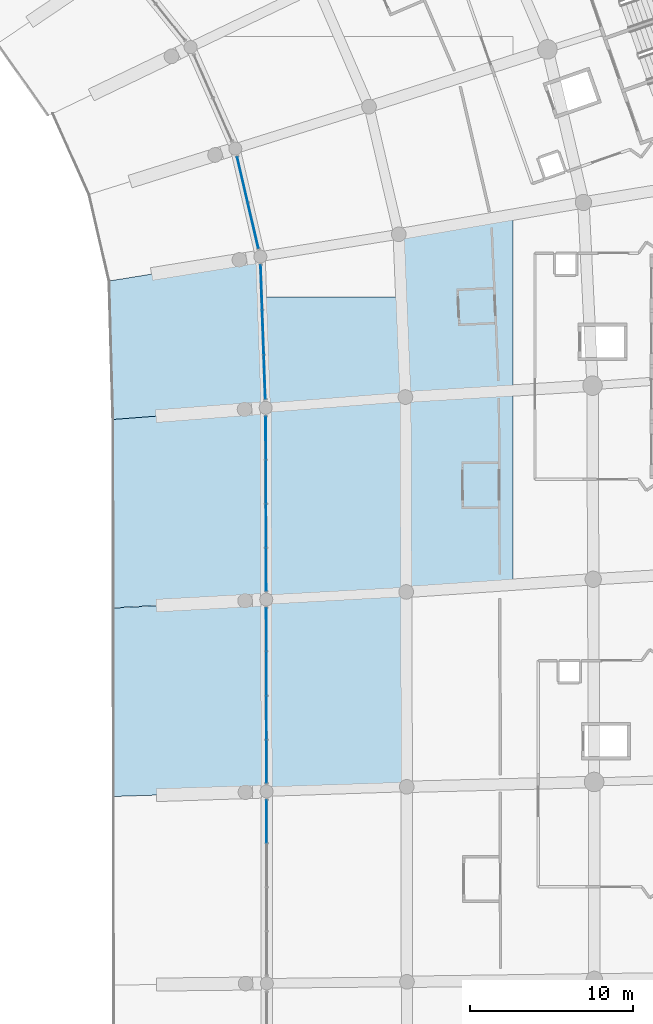
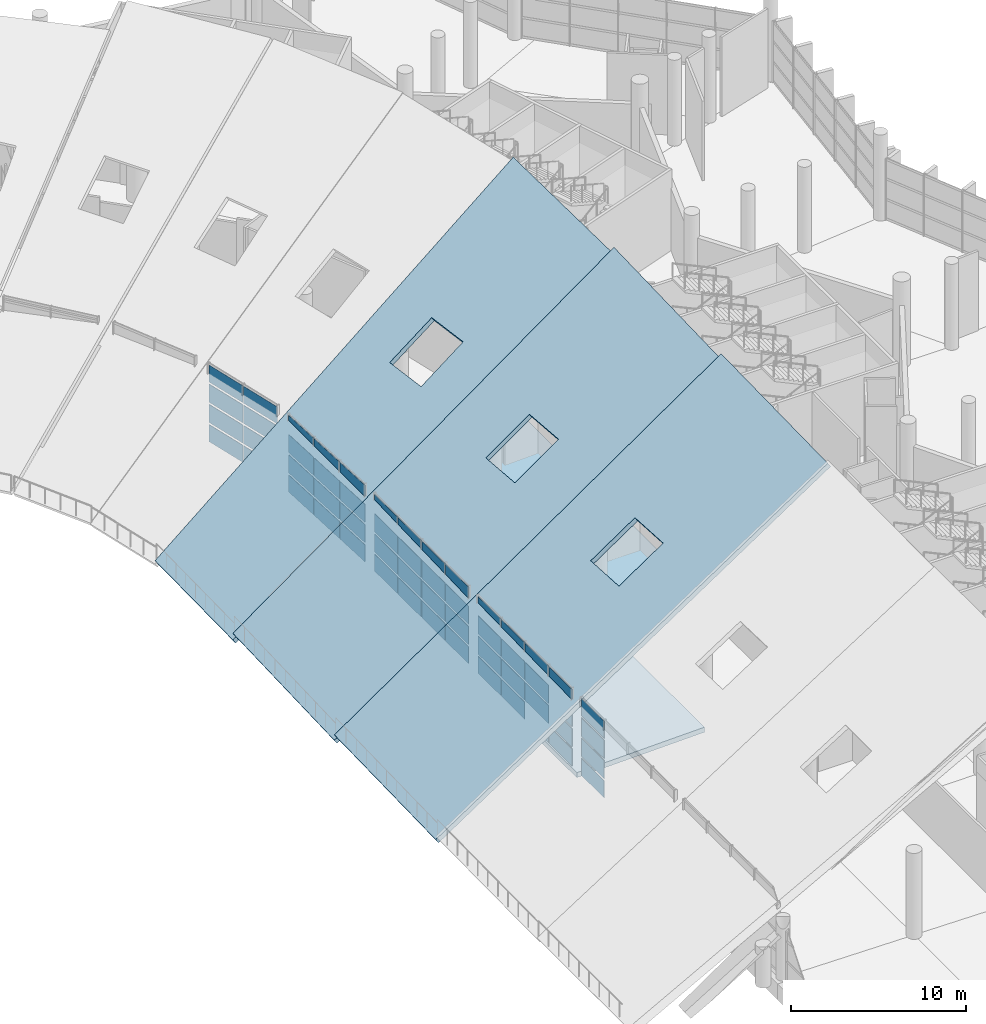
# One storey, part 127 of 249: 56 plates, 6 slabs, 5 elements without a shape of their own.
"""IFC4 building model written with IfcOpenShell, lengths in metres."""

from ifc_helpers import new_model, si_unit, direction, frame, origin, origin_2d, place, context, subcontext, project, spatial, polyline, rectangle, outline, extrude, material, layer, layer_set, type_object, element, aggregate, save


model = new_model("IFC4")

# Units and contexts
model_context = context("Model", 3, precision=1e-05, world=origin(), true_north=direction((0.0, 1.0)))
body_context = subcontext(model_context, "Body", "Model", "MODEL_VIEW")
ifc_project = project(units=[si_unit("LENGTHUNIT", "METRE"), si_unit("AREAUNIT", "SQUARE_METRE"), si_unit("VOLUMEUNIT", "CUBIC_METRE"), si_unit("PLANEANGLEUNIT", "RADIAN"), si_unit("MASSUNIT", "GRAM", prefix="KILO")], contexts=[model_context])

# Site, building, storey
site_placement = place(None, origin())
site = spatial("IfcSite", under=ifc_project, at=site_placement, CompositionType="ELEMENT")
building_placement = place(site_placement, origin())
building = spatial("IfcBuilding", under=site, at=building_placement, Name="Meseta Stadium", CompositionType="ELEMENT")
storey_placement = place(building_placement, frame((0.0, 0.0, 12.0)))
storey = spatial("IfcBuildingStorey", under=building, at=storey_placement, Name="L02", CompositionType="ELEMENT", Elevation=12.0)

# Curtain wall, plates
ifc_material_1 = material(Name="Aluminium", Category="aluminium")
ifc_layer_1 = layer(ifc_material_1, 0.199951171875)
ifc_layer_set_1 = layer_set([ifc_layer_1], Name="Suite glazing curtain wall")
curtain_wall_type = type_object("IfcCurtainWallType", Name="Suite glazing curtain wall", PredefinedType="NOTDEFINED", material=ifc_layer_set_1)
curtain_wall_1_placement = place(storey_placement, origin())
curtain_wall_1 = element("IfcCurtainWall", 1, at=curtain_wall_1_placement, inside=storey, type_object=curtain_wall_type, Name="Suite glazing bay 05", PredefinedType="NOTDEFINED")
ifc_material_2 = material(Name="Glass", Category="glass")
ifc_layer_2 = layer(ifc_material_2, 0.035888671875)
ifc_layer_set_2 = layer_set([ifc_layer_2], Name="CW glass panel 36")
plate_type = type_object("IfcPlateType", Name="CW glass panel 36", PredefinedType="CURTAIN_PANEL", material=ifc_layer_set_2)
plate_1_placement = place(storey_placement, frame((64.888916015625, 15.814697265625, 0.14990234375), z_axis=(0.0, 0.0, 1.0), x_axis=(-0.000975355927, 0.99999952434, 0.0)))
plate_1 = element("IfcPlate", 2, at=plate_1_placement, type_object=plate_type, Name="CWS panel 4.1", PredefinedType="CURTAIN_PANEL", context=body_context, shape_type="SweptSolid", body=[
    extrude(rectangle(XDim=2.61376953125, YDim=0.035888671875, at=origin_2d()), origin(), (0.0, 0.0, 1.0), 1.1875),
])
plate_2_placement = place(storey_placement, frame((64.888916015625, 15.814697265625, 1.4873046875), z_axis=(0.0, 0.0, 1.0), x_axis=(-0.000975355927, 0.99999952434, 0.0)))
plate_2 = element("IfcPlate", 3, at=plate_2_placement, type_object=plate_type, Name="CWS panel 4.2", PredefinedType="CURTAIN_PANEL", context=body_context, shape_type="SweptSolid", body=[
    extrude(rectangle(XDim=2.61376953125, YDim=0.035888671875, at=origin_2d()), origin(), (0.0, 0.0, 1.0), 1.262451171875),
])
plate_3_placement = place(storey_placement, frame((64.888916015625, 15.814697265625, 2.89990234375), z_axis=(0.0, 0.0, 1.0), x_axis=(-0.000975355927, 0.99999952434, 0.0)))
plate_3 = element("IfcPlate", 4, at=plate_3_placement, type_object=plate_type, Name="CWS panel 4.3", PredefinedType="CURTAIN_PANEL", context=body_context, shape_type="SweptSolid", body=[
    extrude(rectangle(XDim=2.61376953125, YDim=0.035888671875, at=origin_2d()), origin(), (0.0, 0.0, 1.0), 1.262451171875),
])
plate_4_placement = place(storey_placement, frame((64.888916015625, 15.814697265625, 4.3125), z_axis=(0.0, 0.0, 1.0), x_axis=(-0.000975355927, 0.99999952434, 0.0)))
plate_4 = element("IfcPlate", 5, at=plate_4_placement, type_object=plate_type, Name="CWS panel 4.4", PredefinedType="CURTAIN_PANEL", context=body_context, shape_type="SweptSolid", body=[
    extrude(rectangle(XDim=2.61376953125, YDim=0.035888671875, at=origin_2d()), origin(), (0.0, 0.0, 1.0), 1.1875),
])
aggregate(curtain_wall_1, [plate_1, plate_2, plate_3, plate_4])

curtain_wall_2_placement = place(storey_placement, origin())
curtain_wall_2 = element("IfcCurtainWall", 6, at=curtain_wall_2_placement, inside=storey, type_object=curtain_wall_type, Name="Suite glazing bay 06", PredefinedType="NOTDEFINED")
plate_5_placement = place(storey_placement, frame((64.883544921875, 19.506591796875, 0.14990234375), z_axis=(0.0, 0.0, 1.0), x_axis=(-0.001946685349, 0.999998105206, 0.0)))
plate_5 = element("IfcPlate", 7, at=plate_5_placement, type_object=plate_type, Name="CWS panel 1.1", PredefinedType="CURTAIN_PANEL", context=body_context, shape_type="SweptSolid", body=[
    extrude(rectangle(XDim=2.613525390625, YDim=0.035888671875, at=origin_2d()), origin(), (0.0, 0.0, 1.0), 1.1875),
])
plate_6_placement = place(storey_placement, frame((64.883544921875, 19.506591796875, 1.4873046875), z_axis=(0.0, 0.0, 1.0), x_axis=(-0.001946685349, 0.999998105206, 0.0)))
plate_6 = element("IfcPlate", 8, at=plate_6_placement, type_object=plate_type, Name="CWS panel 1.2", PredefinedType="CURTAIN_PANEL", context=body_context, shape_type="SweptSolid", body=[
    extrude(rectangle(XDim=2.613525390625, YDim=0.035888671875, at=origin_2d()), origin(), (0.0, 0.0, 1.0), 1.262451171875),
])
plate_7_placement = place(storey_placement, frame((64.883544921875, 19.506591796875, 2.89990234375), z_axis=(0.0, 0.0, 1.0), x_axis=(-0.001946685349, 0.999998105206, 0.0)))
plate_7 = element("IfcPlate", 9, at=plate_7_placement, type_object=plate_type, Name="CWS panel 1.3", PredefinedType="CURTAIN_PANEL", context=body_context, shape_type="SweptSolid", body=[
    extrude(rectangle(XDim=2.613525390625, YDim=0.035888671875, at=origin_2d()), origin(), (0.0, 0.0, 1.0), 1.262451171875),
])
plate_8_placement = place(storey_placement, frame((64.883544921875, 19.506591796875, 4.3125), z_axis=(0.0, 0.0, 1.0), x_axis=(-0.001946685349, 0.999998105206, 0.0)))
plate_8 = element("IfcPlate", 10, at=plate_8_placement, type_object=plate_type, Name="CWS panel 1.4", PredefinedType="CURTAIN_PANEL", context=body_context, shape_type="SweptSolid", body=[
    extrude(rectangle(XDim=2.613525390625, YDim=0.035888671875, at=origin_2d()), origin(), (0.0, 0.0, 1.0), 1.1875),
])
plate_9_placement = place(storey_placement, frame((64.878173828125, 22.195068359375, 0.14990234375), z_axis=(0.0, 0.0, 1.0), x_axis=(-0.001946685349, 0.999998105206, 0.0)))
plate_9 = element("IfcPlate", 11, at=plate_9_placement, type_object=plate_type, Name="CWS panel 2.1", PredefinedType="CURTAIN_PANEL", context=body_context, shape_type="SweptSolid", body=[
    extrude(rectangle(XDim=2.6435546875, YDim=0.035888671875, at=origin_2d()), origin(), (0.0, 0.0, 1.0), 1.1875),
])
plate_10_placement = place(storey_placement, frame((64.878173828125, 22.195068359375, 1.4873046875), z_axis=(0.0, 0.0, 1.0), x_axis=(-0.001946685349, 0.999998105206, 0.0)))
plate_10 = element("IfcPlate", 12, at=plate_10_placement, type_object=plate_type, Name="CWS panel 2.2", PredefinedType="CURTAIN_PANEL", context=body_context, shape_type="SweptSolid", body=[
    extrude(rectangle(XDim=2.6435546875, YDim=0.035888671875, at=origin_2d()), origin(), (0.0, 0.0, 1.0), 1.262451171875),
])
plate_11_placement = place(storey_placement, frame((64.878173828125, 22.195068359375, 2.89990234375), z_axis=(0.0, 0.0, 1.0), x_axis=(-0.001946685349, 0.999998105206, 0.0)))
plate_11 = element("IfcPlate", 13, at=plate_11_placement, type_object=plate_type, Name="CWS panel 2.3", PredefinedType="CURTAIN_PANEL", context=body_context, shape_type="SweptSolid", body=[
    extrude(rectangle(XDim=2.6435546875, YDim=0.035888671875, at=origin_2d()), origin(), (0.0, 0.0, 1.0), 1.262451171875),
])
plate_12_placement = place(storey_placement, frame((64.878173828125, 22.195068359375, 4.3125), z_axis=(0.0, 0.0, 1.0), x_axis=(-0.001946685349, 0.999998105206, 0.0)))
plate_12 = element("IfcPlate", 14, at=plate_12_placement, type_object=plate_type, Name="CWS panel 2.4", PredefinedType="CURTAIN_PANEL", context=body_context, shape_type="SweptSolid", body=[
    extrude(rectangle(XDim=2.6435546875, YDim=0.035888671875, at=origin_2d()), origin(), (0.0, 0.0, 1.0), 1.1875),
])
plate_13_placement = place(storey_placement, frame((64.873046875, 24.8984375, 0.14990234375), z_axis=(0.0, 0.0, 1.0), x_axis=(-0.001946685349, 0.999998105206, 0.0)))
plate_13 = element("IfcPlate", 15, at=plate_13_placement, type_object=plate_type, Name="CWS panel 3.1", PredefinedType="CURTAIN_PANEL", context=body_context, shape_type="SweptSolid", body=[
    extrude(rectangle(XDim=2.6435546875, YDim=0.035888671875, at=origin_2d()), origin(), (0.0, 0.0, 1.0), 1.1875),
])
plate_14_placement = place(storey_placement, frame((64.873046875, 24.8984375, 1.4873046875), z_axis=(0.0, 0.0, 1.0), x_axis=(-0.001946685349, 0.999998105206, 0.0)))
plate_14 = element("IfcPlate", 16, at=plate_14_placement, type_object=plate_type, Name="CWS panel 3.2", PredefinedType="CURTAIN_PANEL", context=body_context, shape_type="SweptSolid", body=[
    extrude(rectangle(XDim=2.6435546875, YDim=0.035888671875, at=origin_2d()), origin(), (0.0, 0.0, 1.0), 1.262451171875),
])
plate_15_placement = place(storey_placement, frame((64.873046875, 24.8984375, 2.89990234375), z_axis=(0.0, 0.0, 1.0), x_axis=(-0.001946685349, 0.999998105206, 0.0)))
plate_15 = element("IfcPlate", 17, at=plate_15_placement, type_object=plate_type, Name="CWS panel 3.3", PredefinedType="CURTAIN_PANEL", context=body_context, shape_type="SweptSolid", body=[
    extrude(rectangle(XDim=2.6435546875, YDim=0.035888671875, at=origin_2d()), origin(), (0.0, 0.0, 1.0), 1.262451171875),
])
plate_16_placement = place(storey_placement, frame((64.873046875, 24.8984375, 4.3125), z_axis=(0.0, 0.0, 1.0), x_axis=(-0.001946685349, 0.999998105206, 0.0)))
plate_16 = element("IfcPlate", 18, at=plate_16_placement, type_object=plate_type, Name="CWS panel 3.4", PredefinedType="CURTAIN_PANEL", context=body_context, shape_type="SweptSolid", body=[
    extrude(rectangle(XDim=2.6435546875, YDim=0.035888671875, at=origin_2d()), origin(), (0.0, 0.0, 1.0), 1.1875),
])
plate_17_placement = place(storey_placement, frame((64.86767578125, 27.5869140625, 0.14990234375), z_axis=(0.0, 0.0, 1.0), x_axis=(-0.001946685349, 0.999998105206, 0.0)))
plate_17 = element("IfcPlate", 19, at=plate_17_placement, type_object=plate_type, Name="CWS panel 4.1", PredefinedType="CURTAIN_PANEL", context=body_context, shape_type="SweptSolid", body=[
    extrude(rectangle(XDim=2.613525390625, YDim=0.035888671875, at=origin_2d()), origin(), (0.0, 0.0, 1.0), 1.1875),
])
plate_18_placement = place(storey_placement, frame((64.86767578125, 27.5869140625, 1.4873046875), z_axis=(0.0, 0.0, 1.0), x_axis=(-0.001946685349, 0.999998105206, 0.0)))
plate_18 = element("IfcPlate", 20, at=plate_18_placement, type_object=plate_type, Name="CWS panel 4.2", PredefinedType="CURTAIN_PANEL", context=body_context, shape_type="SweptSolid", body=[
    extrude(rectangle(XDim=2.613525390625, YDim=0.035888671875, at=origin_2d()), origin(), (0.0, 0.0, 1.0), 1.262451171875),
])
plate_19_placement = place(storey_placement, frame((64.86767578125, 27.5869140625, 2.89990234375), z_axis=(0.0, 0.0, 1.0), x_axis=(-0.001946685349, 0.999998105206, 0.0)))
plate_19 = element("IfcPlate", 21, at=plate_19_placement, type_object=plate_type, Name="CWS panel 4.3", PredefinedType="CURTAIN_PANEL", context=body_context, shape_type="SweptSolid", body=[
    extrude(rectangle(XDim=2.613525390625, YDim=0.035888671875, at=origin_2d()), origin(), (0.0, 0.0, 1.0), 1.262451171875),
])
plate_20_placement = place(storey_placement, frame((64.86767578125, 27.5869140625, 4.3125), z_axis=(0.0, 0.0, 1.0), x_axis=(-0.001946685349, 0.999998105206, 0.0)))
plate_20 = element("IfcPlate", 22, at=plate_20_placement, type_object=plate_type, Name="CWS panel 4.4", PredefinedType="CURTAIN_PANEL", context=body_context, shape_type="SweptSolid", body=[
    extrude(rectangle(XDim=2.613525390625, YDim=0.035888671875, at=origin_2d()), origin(), (0.0, 0.0, 1.0), 1.1875),
])
aggregate(curtain_wall_2, [plate_5, plate_6, plate_7, plate_8, plate_9, plate_10, plate_11, plate_12, plate_13, plate_14, plate_15, plate_16, plate_17, plate_18, plate_19, plate_20])

curtain_wall_3_placement = place(storey_placement, origin())
curtain_wall_3 = element("IfcCurtainWall", 23, at=curtain_wall_3_placement, inside=storey, type_object=curtain_wall_type, Name="Suite glazing bay 07", PredefinedType="NOTDEFINED")
plate_21_placement = place(storey_placement, frame((64.85888671875, 31.279296875, 0.14990234375), z_axis=(0.0, 0.0, 1.0), x_axis=(-0.002910007458, 0.999995765919, 0.0)))
plate_21 = element("IfcPlate", 24, at=plate_21_placement, type_object=plate_type, Name="CWS panel 1.1", PredefinedType="CURTAIN_PANEL", context=body_context, shape_type="SweptSolid", body=[
    extrude(rectangle(XDim=2.61279296875, YDim=0.035888671875, at=origin_2d()), origin(), (0.0, 0.0, 1.0), 1.1875),
])
plate_22_placement = place(storey_placement, frame((64.85888671875, 31.279296875, 1.4873046875), z_axis=(0.0, 0.0, 1.0), x_axis=(-0.002910007458, 0.999995765919, 0.0)))
plate_22 = element("IfcPlate", 25, at=plate_22_placement, type_object=plate_type, Name="CWS panel 1.2", PredefinedType="CURTAIN_PANEL", context=body_context, shape_type="SweptSolid", body=[
    extrude(rectangle(XDim=2.61279296875, YDim=0.035888671875, at=origin_2d()), origin(), (0.0, 0.0, 1.0), 1.262451171875),
])
plate_23_placement = place(storey_placement, frame((64.85888671875, 31.279296875, 2.89990234375), z_axis=(0.0, 0.0, 1.0), x_axis=(-0.002910007458, 0.999995765919, 0.0)))
plate_23 = element("IfcPlate", 26, at=plate_23_placement, type_object=plate_type, Name="CWS panel 1.3", PredefinedType="CURTAIN_PANEL", context=body_context, shape_type="SweptSolid", body=[
    extrude(rectangle(XDim=2.61279296875, YDim=0.035888671875, at=origin_2d()), origin(), (0.0, 0.0, 1.0), 1.262451171875),
])
plate_24_placement = place(storey_placement, frame((64.85888671875, 31.279296875, 4.3125), z_axis=(0.0, 0.0, 1.0), x_axis=(-0.002910007458, 0.999995765919, 0.0)))
plate_24 = element("IfcPlate", 27, at=plate_24_placement, type_object=plate_type, Name="CWS panel 1.4", PredefinedType="CURTAIN_PANEL", context=body_context, shape_type="SweptSolid", body=[
    extrude(rectangle(XDim=2.61279296875, YDim=0.035888671875, at=origin_2d()), origin(), (0.0, 0.0, 1.0), 1.1875),
])
plate_25_placement = place(storey_placement, frame((64.85107421875, 33.967041015625, 0.14990234375), z_axis=(0.0, 0.0, 1.0), x_axis=(-0.002910007458, 0.999995765919, 0.0)))
plate_25 = element("IfcPlate", 28, at=plate_25_placement, type_object=plate_type, Name="CWS panel 2.1", PredefinedType="CURTAIN_PANEL", context=body_context, shape_type="SweptSolid", body=[
    extrude(rectangle(XDim=2.642822265625, YDim=0.035888671875, at=origin_2d()), origin(), (0.0, 0.0, 1.0), 1.1875),
])
plate_26_placement = place(storey_placement, frame((64.85107421875, 33.967041015625, 1.4873046875), z_axis=(0.0, 0.0, 1.0), x_axis=(-0.002910007458, 0.999995765919, 0.0)))
plate_26 = element("IfcPlate", 29, at=plate_26_placement, type_object=plate_type, Name="CWS panel 2.2", PredefinedType="CURTAIN_PANEL", context=body_context, shape_type="SweptSolid", body=[
    extrude(rectangle(XDim=2.642822265625, YDim=0.035888671875, at=origin_2d()), origin(), (0.0, 0.0, 1.0), 1.262451171875),
])
plate_27_placement = place(storey_placement, frame((64.85107421875, 33.967041015625, 2.89990234375), z_axis=(0.0, 0.0, 1.0), x_axis=(-0.002910007458, 0.999995765919, 0.0)))
plate_27 = element("IfcPlate", 30, at=plate_27_placement, type_object=plate_type, Name="CWS panel 2.3", PredefinedType="CURTAIN_PANEL", context=body_context, shape_type="SweptSolid", body=[
    extrude(rectangle(XDim=2.642822265625, YDim=0.035888671875, at=origin_2d()), origin(), (0.0, 0.0, 1.0), 1.262451171875),
])
plate_28_placement = place(storey_placement, frame((64.85107421875, 33.967041015625, 4.3125), z_axis=(0.0, 0.0, 1.0), x_axis=(-0.002910007458, 0.999995765919, 0.0)))
plate_28 = element("IfcPlate", 31, at=plate_28_placement, type_object=plate_type, Name="CWS panel 2.4", PredefinedType="CURTAIN_PANEL", context=body_context, shape_type="SweptSolid", body=[
    extrude(rectangle(XDim=2.642822265625, YDim=0.035888671875, at=origin_2d()), origin(), (0.0, 0.0, 1.0), 1.1875),
])
plate_29_placement = place(storey_placement, frame((64.843017578125, 36.669677734375, 0.14990234375), z_axis=(0.0, 0.0, 1.0), x_axis=(-0.002910007458, 0.999995765919, 0.0)))
plate_29 = element("IfcPlate", 32, at=plate_29_placement, type_object=plate_type, Name="CWS panel 3.1", PredefinedType="CURTAIN_PANEL", context=body_context, shape_type="SweptSolid", body=[
    extrude(rectangle(XDim=2.642822265625, YDim=0.035888671875, at=origin_2d()), origin(), (0.0, 0.0, 1.0), 1.1875),
])
plate_30_placement = place(storey_placement, frame((64.843017578125, 36.669677734375, 1.4873046875), z_axis=(0.0, 0.0, 1.0), x_axis=(-0.002910007458, 0.999995765919, 0.0)))
plate_30 = element("IfcPlate", 33, at=plate_30_placement, type_object=plate_type, Name="CWS panel 3.2", PredefinedType="CURTAIN_PANEL", context=body_context, shape_type="SweptSolid", body=[
    extrude(rectangle(XDim=2.642822265625, YDim=0.035888671875, at=origin_2d()), origin(), (0.0, 0.0, 1.0), 1.262451171875),
])
plate_31_placement = place(storey_placement, frame((64.843017578125, 36.669677734375, 2.89990234375), z_axis=(0.0, 0.0, 1.0), x_axis=(-0.002910007458, 0.999995765919, 0.0)))
plate_31 = element("IfcPlate", 34, at=plate_31_placement, type_object=plate_type, Name="CWS panel 3.3", PredefinedType="CURTAIN_PANEL", context=body_context, shape_type="SweptSolid", body=[
    extrude(rectangle(XDim=2.642822265625, YDim=0.035888671875, at=origin_2d()), origin(), (0.0, 0.0, 1.0), 1.262451171875),
])
plate_32_placement = place(storey_placement, frame((64.843017578125, 36.669677734375, 4.3125), z_axis=(0.0, 0.0, 1.0), x_axis=(-0.002910007458, 0.999995765919, 0.0)))
plate_32 = element("IfcPlate", 35, at=plate_32_placement, type_object=plate_type, Name="CWS panel 3.4", PredefinedType="CURTAIN_PANEL", context=body_context, shape_type="SweptSolid", body=[
    extrude(rectangle(XDim=2.642822265625, YDim=0.035888671875, at=origin_2d()), origin(), (0.0, 0.0, 1.0), 1.1875),
])
plate_33_placement = place(storey_placement, frame((64.835205078125, 39.357421875, 0.14990234375), z_axis=(0.0, 0.0, 1.0), x_axis=(-0.002910007458, 0.999995765919, 0.0)))
plate_33 = element("IfcPlate", 36, at=plate_33_placement, type_object=plate_type, Name="CWS panel 4.1", PredefinedType="CURTAIN_PANEL", context=body_context, shape_type="SweptSolid", body=[
    extrude(rectangle(XDim=2.61279296875, YDim=0.035888671875, at=origin_2d()), origin(), (0.0, 0.0, 1.0), 1.1875),
])
plate_34_placement = place(storey_placement, frame((64.835205078125, 39.357421875, 1.4873046875), z_axis=(0.0, 0.0, 1.0), x_axis=(-0.002910007458, 0.999995765919, 0.0)))
plate_34 = element("IfcPlate", 37, at=plate_34_placement, type_object=plate_type, Name="CWS panel 4.2", PredefinedType="CURTAIN_PANEL", context=body_context, shape_type="SweptSolid", body=[
    extrude(rectangle(XDim=2.61279296875, YDim=0.035888671875, at=origin_2d()), origin(), (0.0, 0.0, 1.0), 1.262451171875),
])
plate_35_placement = place(storey_placement, frame((64.835205078125, 39.357421875, 2.89990234375), z_axis=(0.0, 0.0, 1.0), x_axis=(-0.002910007458, 0.999995765919, 0.0)))
plate_35 = element("IfcPlate", 38, at=plate_35_placement, type_object=plate_type, Name="CWS panel 4.3", PredefinedType="CURTAIN_PANEL", context=body_context, shape_type="SweptSolid", body=[
    extrude(rectangle(XDim=2.61279296875, YDim=0.035888671875, at=origin_2d()), origin(), (0.0, 0.0, 1.0), 1.262451171875),
])
plate_36_placement = place(storey_placement, frame((64.835205078125, 39.357421875, 4.3125), z_axis=(0.0, 0.0, 1.0), x_axis=(-0.002910007458, 0.999995765919, 0.0)))
plate_36 = element("IfcPlate", 39, at=plate_36_placement, type_object=plate_type, Name="CWS panel 4.4", PredefinedType="CURTAIN_PANEL", context=body_context, shape_type="SweptSolid", body=[
    extrude(rectangle(XDim=2.61279296875, YDim=0.035888671875, at=origin_2d()), origin(), (0.0, 0.0, 1.0), 1.1875),
])
aggregate(curtain_wall_3, [plate_21, plate_22, plate_23, plate_24, plate_25, plate_26, plate_27, plate_28, plate_29, plate_30, plate_31, plate_32, plate_33, plate_34, plate_35, plate_36])

curtain_wall_4_placement = place(storey_placement, origin())
curtain_wall_4 = element("IfcCurtainWall", 40, at=curtain_wall_4_placement, inside=storey, type_object=curtain_wall_type, Name="Suite glazing bay 08", PredefinedType="NOTDEFINED")
plate_37_placement = place(storey_placement, frame((64.763427734375, 43.083740234375, 0.14990234375), z_axis=(0.0, 0.0, 1.0), x_axis=(-0.035370706156, 0.999374260798, 0.0)))
plate_37 = element("IfcPlate", 41, at=plate_37_placement, type_object=plate_type, Name="CWS panel 1.1", PredefinedType="CURTAIN_PANEL", context=body_context, shape_type="SweptSolid", body=[
    extrude(rectangle(XDim=2.68310546875, YDim=0.035888671875, at=origin_2d()), origin(), (0.0, 0.0, 1.0), 1.1875),
])
plate_38_placement = place(storey_placement, frame((64.763427734375, 43.083740234375, 1.4873046875), z_axis=(0.0, 0.0, 1.0), x_axis=(-0.035370706156, 0.999374260798, 0.0)))
plate_38 = element("IfcPlate", 42, at=plate_38_placement, type_object=plate_type, Name="CWS panel 1.2", PredefinedType="CURTAIN_PANEL", context=body_context, shape_type="SweptSolid", body=[
    extrude(rectangle(XDim=2.68310546875, YDim=0.035888671875, at=origin_2d()), origin(), (0.0, 0.0, 1.0), 1.262451171875),
])
plate_39_placement = place(storey_placement, frame((64.763427734375, 43.083740234375, 2.89990234375), z_axis=(0.0, 0.0, 1.0), x_axis=(-0.035370706156, 0.999374260798, 0.0)))
plate_39 = element("IfcPlate", 43, at=plate_39_placement, type_object=plate_type, Name="CWS panel 1.3", PredefinedType="CURTAIN_PANEL", context=body_context, shape_type="SweptSolid", body=[
    extrude(rectangle(XDim=2.68310546875, YDim=0.035888671875, at=origin_2d()), origin(), (0.0, 0.0, 1.0), 1.262451171875),
])
plate_40_placement = place(storey_placement, frame((64.763427734375, 43.083740234375, 4.3125), z_axis=(0.0, 0.0, 1.0), x_axis=(-0.035370706156, 0.999374260798, 0.0)))
plate_40 = element("IfcPlate", 44, at=plate_40_placement, type_object=plate_type, Name="CWS panel 1.4", PredefinedType="CURTAIN_PANEL", context=body_context, shape_type="SweptSolid", body=[
    extrude(rectangle(XDim=2.68310546875, YDim=0.035888671875, at=origin_2d()), origin(), (0.0, 0.0, 1.0), 1.1875),
])
plate_41_placement = place(storey_placement, frame((64.665771484375, 45.840087890625, 0.14990234375), z_axis=(0.0, 0.0, 1.0), x_axis=(-0.035370706156, 0.999374260798, 0.0)))
plate_41 = element("IfcPlate", 45, at=plate_41_placement, type_object=plate_type, Name="CWS panel 2.1", PredefinedType="CURTAIN_PANEL", context=body_context, shape_type="SweptSolid", body=[
    extrude(rectangle(XDim=2.713134765625, YDim=0.035888671875, at=origin_2d()), origin(), (0.0, 0.0, 1.0), 1.1875),
])
plate_42_placement = place(storey_placement, frame((64.665771484375, 45.840087890625, 1.4873046875), z_axis=(0.0, 0.0, 1.0), x_axis=(-0.035370706156, 0.999374260798, 0.0)))
plate_42 = element("IfcPlate", 46, at=plate_42_placement, type_object=plate_type, Name="CWS panel 2.2", PredefinedType="CURTAIN_PANEL", context=body_context, shape_type="SweptSolid", body=[
    extrude(rectangle(XDim=2.713134765625, YDim=0.035888671875, at=origin_2d()), origin(), (0.0, 0.0, 1.0), 1.262451171875),
])
plate_43_placement = place(storey_placement, frame((64.665771484375, 45.840087890625, 2.89990234375), z_axis=(0.0, 0.0, 1.0), x_axis=(-0.035370706156, 0.999374260798, 0.0)))
plate_43 = element("IfcPlate", 47, at=plate_43_placement, type_object=plate_type, Name="CWS panel 2.3", PredefinedType="CURTAIN_PANEL", context=body_context, shape_type="SweptSolid", body=[
    extrude(rectangle(XDim=2.713134765625, YDim=0.035888671875, at=origin_2d()), origin(), (0.0, 0.0, 1.0), 1.262451171875),
])
plate_44_placement = place(storey_placement, frame((64.665771484375, 45.840087890625, 4.3125), z_axis=(0.0, 0.0, 1.0), x_axis=(-0.035370706156, 0.999374260798, 0.0)))
plate_44 = element("IfcPlate", 48, at=plate_44_placement, type_object=plate_type, Name="CWS panel 2.4", PredefinedType="CURTAIN_PANEL", context=body_context, shape_type="SweptSolid", body=[
    extrude(rectangle(XDim=2.713134765625, YDim=0.035888671875, at=origin_2d()), origin(), (0.0, 0.0, 1.0), 1.1875),
])
plate_45_placement = place(storey_placement, frame((64.568359375, 48.5966796875, 0.14990234375), z_axis=(0.0, 0.0, 1.0), x_axis=(-0.035370706156, 0.999374260798, 0.0)))
plate_45 = element("IfcPlate", 49, at=plate_45_placement, type_object=plate_type, Name="CWS panel 3.1", PredefinedType="CURTAIN_PANEL", context=body_context, shape_type="SweptSolid", body=[
    extrude(rectangle(XDim=2.68310546875, YDim=0.035888671875, at=origin_2d()), origin(), (0.0, 0.0, 1.0), 1.1875),
])
plate_46_placement = place(storey_placement, frame((64.568359375, 48.5966796875, 1.4873046875), z_axis=(0.0, 0.0, 1.0), x_axis=(-0.035370706156, 0.999374260798, 0.0)))
plate_46 = element("IfcPlate", 50, at=plate_46_placement, type_object=plate_type, Name="CWS panel 3.2", PredefinedType="CURTAIN_PANEL", context=body_context, shape_type="SweptSolid", body=[
    extrude(rectangle(XDim=2.68310546875, YDim=0.035888671875, at=origin_2d()), origin(), (0.0, 0.0, 1.0), 1.262451171875),
])
plate_47_placement = place(storey_placement, frame((64.568359375, 48.5966796875, 2.89990234375), z_axis=(0.0, 0.0, 1.0), x_axis=(-0.035370706156, 0.999374260798, 0.0)))
plate_47 = element("IfcPlate", 51, at=plate_47_placement, type_object=plate_type, Name="CWS panel 3.3", PredefinedType="CURTAIN_PANEL", context=body_context, shape_type="SweptSolid", body=[
    extrude(rectangle(XDim=2.68310546875, YDim=0.035888671875, at=origin_2d()), origin(), (0.0, 0.0, 1.0), 1.262451171875),
])
plate_48_placement = place(storey_placement, frame((64.568359375, 48.5966796875, 4.3125), z_axis=(0.0, 0.0, 1.0), x_axis=(-0.035370706156, 0.999374260798, 0.0)))
plate_48 = element("IfcPlate", 52, at=plate_48_placement, type_object=plate_type, Name="CWS panel 3.4", PredefinedType="CURTAIN_PANEL", context=body_context, shape_type="SweptSolid", body=[
    extrude(rectangle(XDim=2.68310546875, YDim=0.035888671875, at=origin_2d()), origin(), (0.0, 0.0, 1.0), 1.1875),
])
aggregate(curtain_wall_4, [plate_37, plate_38, plate_39, plate_40, plate_41, plate_42, plate_43, plate_44, plate_45, plate_46, plate_47, plate_48])

curtain_wall_5_placement = place(storey_placement, origin())
curtain_wall_5 = element("IfcCurtainWall", 53, at=curtain_wall_5_placement, inside=storey, type_object=curtain_wall_type, Name="Suite glazing bay 09", PredefinedType="NOTDEFINED")
plate_49_placement = place(storey_placement, frame((64.0595703125, 52.38427734375, 0.14990234375), z_axis=(0.0, 0.0, 1.0), x_axis=(-0.226148413492, 0.974092857522, 0.0)))
plate_49 = element("IfcPlate", 54, at=plate_49_placement, type_object=plate_type, Name="CWS panel 1.1", PredefinedType="CURTAIN_PANEL", context=body_context, shape_type="SweptSolid", body=[
    extrude(rectangle(XDim=2.830322265625, YDim=0.035888671875, at=origin_2d()), origin(), (0.0, 0.0, 1.0), 1.1875),
])
plate_50_placement = place(storey_placement, frame((64.0595703125, 52.38427734375, 1.4873046875), z_axis=(0.0, 0.0, 1.0), x_axis=(-0.226148413492, 0.974092857522, 0.0)))
plate_50 = element("IfcPlate", 55, at=plate_50_placement, type_object=plate_type, Name="CWS panel 1.2", PredefinedType="CURTAIN_PANEL", context=body_context, shape_type="SweptSolid", body=[
    extrude(rectangle(XDim=2.830322265625, YDim=0.035888671875, at=origin_2d()), origin(), (0.0, 0.0, 1.0), 1.262451171875),
])
plate_51_placement = place(storey_placement, frame((64.0595703125, 52.38427734375, 2.89990234375), z_axis=(0.0, 0.0, 1.0), x_axis=(-0.226148413492, 0.974092857522, 0.0)))
plate_51 = element("IfcPlate", 56, at=plate_51_placement, type_object=plate_type, Name="CWS panel 1.3", PredefinedType="CURTAIN_PANEL", context=body_context, shape_type="SweptSolid", body=[
    extrude(rectangle(XDim=2.830322265625, YDim=0.035888671875, at=origin_2d()), origin(), (0.0, 0.0, 1.0), 1.262451171875),
])
plate_52_placement = place(storey_placement, frame((64.0595703125, 52.38427734375, 4.3125), z_axis=(0.0, 0.0, 1.0), x_axis=(-0.226148413492, 0.974092857522, 0.0)))
plate_52 = element("IfcPlate", 57, at=plate_52_placement, type_object=plate_type, Name="CWS panel 1.4", PredefinedType="CURTAIN_PANEL", context=body_context, shape_type="SweptSolid", body=[
    extrude(rectangle(XDim=2.830322265625, YDim=0.035888671875, at=origin_2d()), origin(), (0.0, 0.0, 1.0), 1.1875),
])
plate_53_placement = place(storey_placement, frame((63.40576171875, 55.19970703125, 0.14990234375), z_axis=(0.0, 0.0, 1.0), x_axis=(-0.226148413492, 0.974092857522, 0.0)))
plate_53 = element("IfcPlate", 58, at=plate_53_placement, type_object=plate_type, Name="CWS panel 2.1", PredefinedType="CURTAIN_PANEL", context=body_context, shape_type="SweptSolid", body=[
    extrude(rectangle(XDim=2.830322265625, YDim=0.035888671875, at=origin_2d()), origin(), (0.0, 0.0, 1.0), 1.1875),
])
plate_54_placement = place(storey_placement, frame((63.40576171875, 55.19970703125, 1.4873046875), z_axis=(0.0, 0.0, 1.0), x_axis=(-0.226148413492, 0.974092857522, 0.0)))
plate_54 = element("IfcPlate", 59, at=plate_54_placement, type_object=plate_type, Name="CWS panel 2.2", PredefinedType="CURTAIN_PANEL", context=body_context, shape_type="SweptSolid", body=[
    extrude(rectangle(XDim=2.830322265625, YDim=0.035888671875, at=origin_2d()), origin(), (0.0, 0.0, 1.0), 1.262451171875),
])
plate_55_placement = place(storey_placement, frame((63.40576171875, 55.19970703125, 2.89990234375), z_axis=(0.0, 0.0, 1.0), x_axis=(-0.226148413492, 0.974092857522, 0.0)))
plate_55 = element("IfcPlate", 60, at=plate_55_placement, type_object=plate_type, Name="CWS panel 2.3", PredefinedType="CURTAIN_PANEL", context=body_context, shape_type="SweptSolid", body=[
    extrude(rectangle(XDim=2.830322265625, YDim=0.035888671875, at=origin_2d()), origin(), (0.0, 0.0, 1.0), 1.262451171875),
])
plate_56_placement = place(storey_placement, frame((63.40576171875, 55.19970703125, 4.3125), z_axis=(0.0, 0.0, 1.0), x_axis=(-0.226148413492, 0.974092857522, 0.0)))
plate_56 = element("IfcPlate", 61, at=plate_56_placement, type_object=plate_type, Name="CWS panel 2.4", PredefinedType="CURTAIN_PANEL", context=body_context, shape_type="SweptSolid", body=[
    extrude(rectangle(XDim=2.830322265625, YDim=0.035888671875, at=origin_2d()), origin(), (0.0, 0.0, 1.0), 1.1875),
])
aggregate(curtain_wall_5, [plate_49, plate_50, plate_51, plate_52, plate_53, plate_54, plate_55, plate_56])

# Slabs
ifc_material_3 = material(Name="Concrete C40/50", Category="concrete")
ifc_layer_3 = layer(ifc_material_3, 0.35009765625)
ifc_layer_set_3 = layer_set([ifc_layer_3], Name="Floor slab 350")
slab_type_1 = type_object("IfcSlabType", Name="Floor slab 350", PredefinedType="FLOOR", material=ifc_layer_set_3)
slab_1_placement = place(storey_placement, frame((0.0, 0.0, -0.35009765625)))
element("IfcSlab", 62, at=slab_1_placement, inside=storey, type_object=slab_type_1, Name="Floor slab L02 sector 00 panel 04", PredefinedType="FLOOR", context=body_context, shape_type="SweptSolid", body=[
    extrude(outline(polyline([(73.451416015625, 29.89404296875), (64.8642578125, 29.42333984375), (64.876953125, 23.547119140625), (64.88720703125, 17.660888671875), (73.482421875, 17.943603515625), (73.451416015625, 29.89404296875)])), origin(), (0.0, 0.0, 1.0), 0.35009765625),
])
slab_2_placement = place(storey_placement, frame((0.0, 0.0, -0.35009765625)))
element("IfcSlab", 63, at=slab_2_placement, inside=storey, type_object=slab_type_1, Name="Floor slab L02 sector 07 panel 07", PredefinedType="FLOOR", context=body_context, shape_type="SweptSolid", body=[
    extrude(outline(polyline([(64.829833984375, 41.2041015625), (64.857666015625, 32.0), (64.8642578125, 29.443359375), (80.0, 30.273193359375), (80.0, 42.368408203125), (64.829833984375, 41.2041015625)])), origin(), (0.0, 0.0, 1.0), 0.35009765625),
])
slab_3_placement = place(storey_placement, frame((0.0, 0.0, -0.35009765625)))
element("IfcSlab", 64, at=slab_3_placement, inside=storey, type_object=slab_type_1, Name="Floor slab L02 sector 07 panel 09", PredefinedType="FLOOR", context=body_context, shape_type="SweptSolid", body=[
    extrude(outline(polyline([(64.754150390625, 48.0), (64.80859375, 47.08837890625), (64.829833984375, 41.2041015625), (80.0, 42.368408203125), (80.0, 53.0556640625), (72.9921875, 51.84716796875), (73.151123046875, 48.0), (64.754150390625, 48.0)])), origin(), (0.0, 0.0, 1.0), 0.35009765625),
])
ifc_material_4 = material(Name="Concrete C40/50", Category="concrete")
ifc_layer_4 = layer(ifc_material_4, 0.35009765625)
ifc_layer_set_4 = layer_set([ifc_layer_4], Name="Seating tier 350")
slab_type_2 = type_object("IfcSlabType", Name="Seating tier 350", PredefinedType="USERDEFINED", material=ifc_layer_set_4)
slab_4_placement = place(storey_placement, frame((55.39208984375, 17.348388671875, -1.154052734375), z_axis=(-0.529490631493, -0.023221750273, 0.847997890018), x_axis=(0.847553767023, 0.027879022369, 0.529976765639)))
element("IfcSlab", 65, at=slab_4_placement, inside=storey, type_object=slab_type_2, Name="Stand upper tier bay 07", ObjectType="SEATING TIER", PredefinedType="USERDEFINED", context=body_context, shape_type="SweptSolid", body=[
    extrude(outline(polyline([(0.0, 0.0), (31.13163102323334, -2.7755575615628914e-17), (31.599913337037506, 12.127010479604698), (0.4737118994705445, 11.54932932134602), (0.0, 0.0)]), holes=[polyline([(17.81982421875, 4.44287109375), (21.357666015625, 4.4755859375), (21.32958984375, 7.475341796875), (17.792236328125, 7.442626953125), (17.81982421875, 4.44287109375)])]), origin(), (0.0, 0.0, -1.0), 0.35009765625),
])
slab_5_placement = place(storey_placement, frame((55.37841796875, 28.92333984375, -1.23046875), z_axis=(-0.528857222007, -0.034787798784, 0.847997551758), x_axis=(0.846740392345, 0.046418111648, 0.529977421106)))
element("IfcSlab", 66, at=slab_5_placement, inside=storey, type_object=slab_type_2, Name="Stand upper tier bay 08", ObjectType="SEATING TIER", PredefinedType="USERDEFINED", context=body_context, shape_type="SweptSolid", body=[
    extrude(outline(polyline([(0.0, 0.0), (31.13156166100626, 6.938893903907228e-17), (31.889571470909818, 12.114119081961363), (0.7633525076015826, 11.53770507737419), (0.0, 0.0)]), holes=[polyline([(17.964111328125, 4.4267578125), (21.501953125, 4.45947265625), (21.47412109375, 7.459228515625), (17.9365234375, 7.426513671875), (17.964111328125, 4.4267578125)])]), origin(), (0.0, 0.0, -1.0), 0.35009765625),
])
slab_6_placement = place(storey_placement, frame((55.35791015625, 40.47705078125, -1.239990234375), z_axis=(-0.526300387385, -0.062533617813, 0.847996137304), x_axis=(0.84571559797, 0.064908913268, 0.52967155892)))
element("IfcSlab", 67, at=slab_6_placement, inside=storey, type_object=slab_type_2, Name="Stand upper tier bay 09", ObjectType="SEATING TIER", PredefinedType="USERDEFINED", context=body_context, shape_type="SweptSolid", body=[
    extrude(outline(polyline([(0.0, 0.0), (31.124441381759983, 5.551115123125783e-17), (31.65379323962001, 10.678791762058133), (0.6064101776106965, 8.487360415016989), (0.0, 0.0)]), holes=[polyline([(18.136474609375, 3.371337890625), (21.671875, 3.49609375), (21.56591796875, 6.49462890625), (18.0302734375, 6.36962890625), (18.136474609375, 3.371337890625)])]), origin(), (0.0, 0.0, -1.0), 0.35009765625),
])

save(model, "model.ifc")
